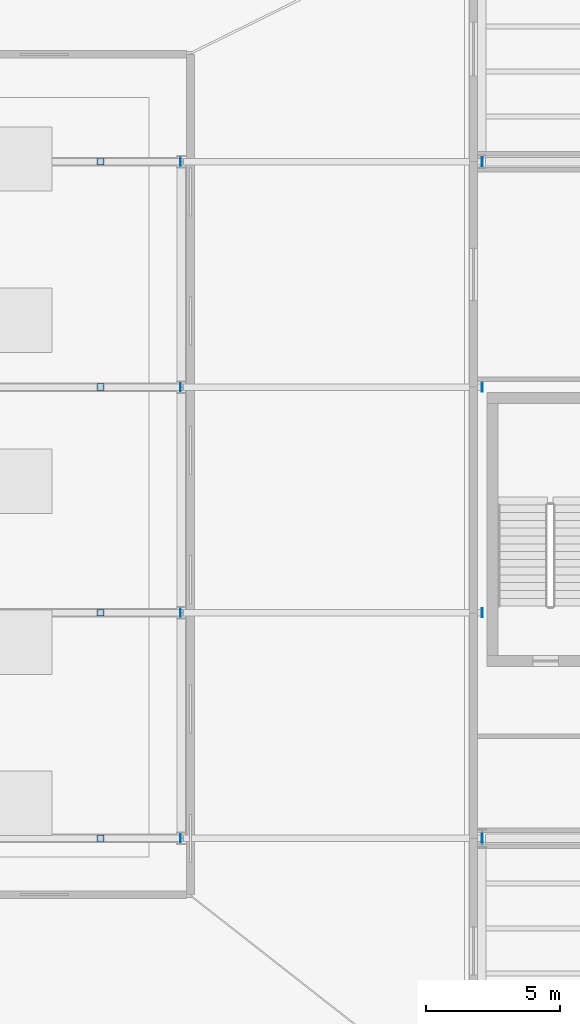
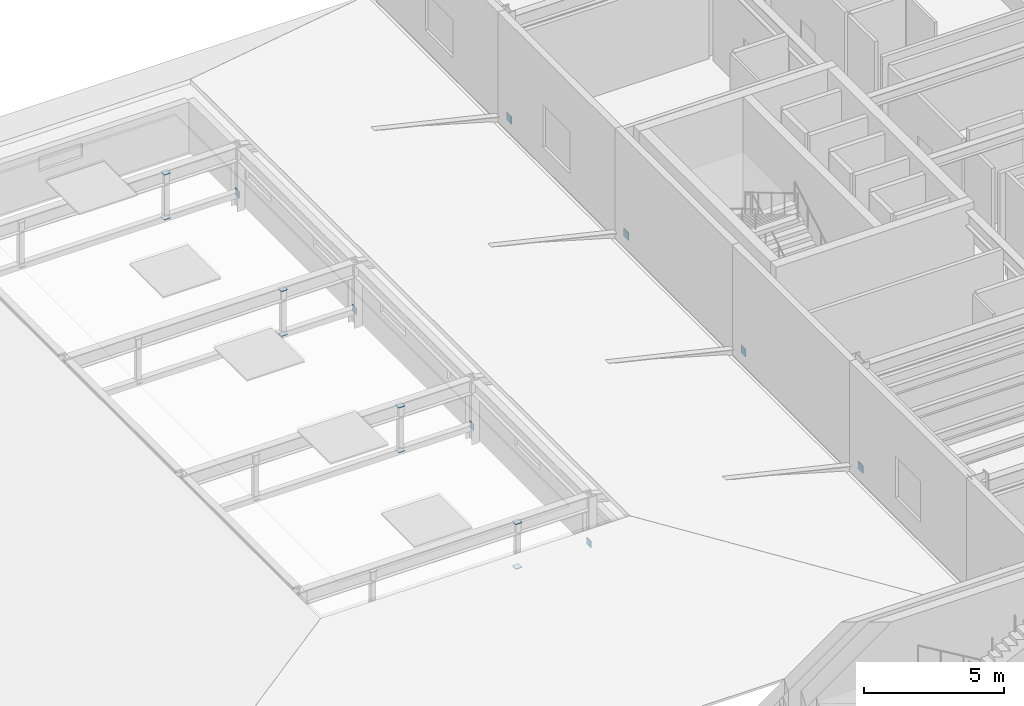
# One storey, part 64 of 91: 16 plates.
"""IFC4 building model written with IfcOpenShell, lengths in metres."""

from ifc_helpers import new_model, si_unit, direction, frame, origin, origin_2d, place, context, subcontext, project, spatial, rectangle, extrude, material, layer, layer_set, type_object, element, save


model = new_model("IFC4")

# Units and contexts
model_context = context("Model", 3, precision=1e-05, world=origin(), true_north=direction((0.0, 1.0)))
body_context = subcontext(model_context, "Body", "Model", "MODEL_VIEW")
ifc_project = project(units=[si_unit("LENGTHUNIT", "METRE"), si_unit("AREAUNIT", "SQUARE_METRE"), si_unit("VOLUMEUNIT", "CUBIC_METRE"), si_unit("PLANEANGLEUNIT", "RADIAN"), si_unit("MASSUNIT", "GRAM", prefix="KILO")], contexts=[model_context])

# Site, building, storey
site_placement = place(None, origin())
site = spatial("IfcSite", under=ifc_project, at=site_placement, CompositionType="ELEMENT")
building_placement = place(site_placement, origin())
building = spatial("IfcBuilding", under=site, at=building_placement, Name="Sollismere Congress Hotel", CompositionType="ELEMENT")
storey_placement = place(building_placement, frame((0.0, 0.0, 10.800048828125)))
storey = spatial("IfcBuildingStorey", under=building, at=storey_placement, Name="L02", CompositionType="ELEMENT", Elevation=10.800048828125)

# Plates
ifc_material = material(Name="Steel ASTM A572 Grade 50", Category="steel")
ifc_layer = layer(ifc_material, 0.02490234375, Name="Steel ASTM A572 Grade 50")
ifc_layer_set = layer_set([ifc_layer], Name="Steel ASTM A572 Grade 50")
plate_type = type_object("IfcPlateType", Name="PL-GS25", PredefinedType="USERDEFINED", material=ifc_layer_set)
plate_1_placement = place(storey_placement, frame((147.212890625, 33.199951171875, -0.169921875), z_axis=(0.0, 0.0, 1.0), x_axis=(1.0, 0.0, 0.0)))
element("IfcPlate", 1, at=plate_1_placement, inside=storey, type_object=plate_type, Name="PLT-SPE-01", ObjectType="GUSSET PLATE", PredefinedType="USERDEFINED", context=body_context, shape_type="SweptSolid", body=[
    extrude(rectangle(XDim=0.02490234375, YDim=0.340087890625, at=origin_2d()), origin(), (0.0, 0.0, 1.0), 0.340087890625),
])
plate_2_placement = place(storey_placement, frame((135.972900390625, 33.199951171875, 0.5), z_axis=(0.0, 0.0, 1.0), x_axis=(1.0, 0.0, 0.0)))
element("IfcPlate", 2, at=plate_2_placement, inside=storey, type_object=plate_type, Name="PLT-CHE-01", ObjectType="GUSSET PLATE", PredefinedType="USERDEFINED", context=body_context, shape_type="SweptSolid", body=[
    extrude(rectangle(XDim=0.02490234375, YDim=0.300048828125, at=origin_2d()), origin(), (0.0, 0.0, 1.0), 0.300048828125),
])
for number, where, z_axis, x_axis, name in (
    (3, (133.0, 33.199951171875, 0.62451171875), (0.0, 0.0, 1.0), (1.0, 0.0, 0.0), "PLT-SPS-12B"),
    (4, (133.0, 33.199951171875, 2.58056640625), (0.0, 0.0, 1.0), (1.0, 0.0, 0.0), "PLT-SPS-12T"),
):
    element("IfcPlate", number, at=place(storey_placement, frame(where, z_axis=z_axis, x_axis=x_axis)), inside=storey, type_object=plate_type, Name=name, ObjectType="GUSSET PLATE", PredefinedType="USERDEFINED", context=body_context, shape_type="SweptSolid", body=[
        extrude(rectangle(XDim=0.260009765625, YDim=0.260009765625, at=origin_2d()), origin(), (0.0, 0.0, 1.0), 0.02490234375),
    ])
plate_3_placement = place(storey_placement, frame((147.212890625, 41.60009765625, -0.169921875), z_axis=(0.0, 0.0, 1.0), x_axis=(1.0, 0.0, 0.0)))
element("IfcPlate", 5, at=plate_3_placement, inside=storey, type_object=plate_type, Name="PLT-SPE-02", ObjectType="GUSSET PLATE", PredefinedType="USERDEFINED", context=body_context, shape_type="SweptSolid", body=[
    extrude(rectangle(XDim=0.02490234375, YDim=0.340087890625, at=origin_2d()), origin(), (0.0, 0.0, 1.0), 0.340087890625),
])
plate_4_placement = place(storey_placement, frame((135.972900390625, 41.60009765625, 0.5), z_axis=(0.0, 0.0, 1.0), x_axis=(1.0, 0.0, 0.0)))
element("IfcPlate", 6, at=plate_4_placement, inside=storey, type_object=plate_type, Name="PLT-CHE-02", ObjectType="GUSSET PLATE", PredefinedType="USERDEFINED", context=body_context, shape_type="SweptSolid", body=[
    extrude(rectangle(XDim=0.02490234375, YDim=0.300048828125, at=origin_2d()), origin(), (0.0, 0.0, 1.0), 0.300048828125),
])
for number, where, z_axis, x_axis, name in (
    (7, (133.0, 41.60009765625, 0.62451171875), (0.0, 0.0, 1.0), (1.0, 0.0, 0.0), "PLT-SPS-22B"),
    (8, (133.0, 41.60009765625, 2.58056640625), (0.0, 0.0, 1.0), (1.0, 0.0, 0.0), "PLT-SPS-22T"),
):
    element("IfcPlate", number, at=place(storey_placement, frame(where, z_axis=z_axis, x_axis=x_axis)), inside=storey, type_object=plate_type, Name=name, ObjectType="GUSSET PLATE", PredefinedType="USERDEFINED", context=body_context, shape_type="SweptSolid", body=[
        extrude(rectangle(XDim=0.260009765625, YDim=0.260009765625, at=origin_2d()), origin(), (0.0, 0.0, 1.0), 0.02490234375),
    ])
plate_5_placement = place(storey_placement, frame((147.212890625, 50.0, -0.169921875), z_axis=(0.0, 0.0, 1.0), x_axis=(1.0, 0.0, 0.0)))
element("IfcPlate", 9, at=plate_5_placement, inside=storey, type_object=plate_type, Name="PLT-SPE-03", ObjectType="GUSSET PLATE", PredefinedType="USERDEFINED", context=body_context, shape_type="SweptSolid", body=[
    extrude(rectangle(XDim=0.02490234375, YDim=0.340087890625, at=origin_2d()), origin(), (0.0, 0.0, 1.0), 0.340087890625),
])
plate_6_placement = place(storey_placement, frame((135.972900390625, 50.0, 0.5), z_axis=(0.0, 0.0, 1.0), x_axis=(1.0, 0.0, 0.0)))
element("IfcPlate", 10, at=plate_6_placement, inside=storey, type_object=plate_type, Name="PLT-CHE-03", ObjectType="GUSSET PLATE", PredefinedType="USERDEFINED", context=body_context, shape_type="SweptSolid", body=[
    extrude(rectangle(XDim=0.02490234375, YDim=0.300048828125, at=origin_2d()), origin(), (0.0, 0.0, 1.0), 0.300048828125),
])
for number, where, z_axis, x_axis, name in (
    (11, (133.0, 50.0, 0.62451171875), (0.0, 0.0, 1.0), (1.0, 0.0, 0.0), "PLT-SPS-32B"),
    (12, (133.0, 50.0, 2.58056640625), (0.0, 0.0, 1.0), (1.0, 0.0, 0.0), "PLT-SPS-32T"),
):
    element("IfcPlate", number, at=place(storey_placement, frame(where, z_axis=z_axis, x_axis=x_axis)), inside=storey, type_object=plate_type, Name=name, ObjectType="GUSSET PLATE", PredefinedType="USERDEFINED", context=body_context, shape_type="SweptSolid", body=[
        extrude(rectangle(XDim=0.260009765625, YDim=0.260009765625, at=origin_2d()), origin(), (0.0, 0.0, 1.0), 0.02490234375),
    ])
plate_7_placement = place(storey_placement, frame((147.212890625, 58.39990234375, -0.169921875), z_axis=(0.0, 0.0, 1.0), x_axis=(1.0, 0.0, 0.0)))
element("IfcPlate", 13, at=plate_7_placement, inside=storey, type_object=plate_type, Name="PLT-SPE-04", ObjectType="GUSSET PLATE", PredefinedType="USERDEFINED", context=body_context, shape_type="SweptSolid", body=[
    extrude(rectangle(XDim=0.02490234375, YDim=0.340087890625, at=origin_2d()), origin(), (0.0, 0.0, 1.0), 0.340087890625),
])
plate_8_placement = place(storey_placement, frame((135.972900390625, 58.39990234375, 0.5), z_axis=(0.0, 0.0, 1.0), x_axis=(1.0, 0.0, 0.0)))
element("IfcPlate", 14, at=plate_8_placement, inside=storey, type_object=plate_type, Name="PLT-CHE-04", ObjectType="GUSSET PLATE", PredefinedType="USERDEFINED", context=body_context, shape_type="SweptSolid", body=[
    extrude(rectangle(XDim=0.02490234375, YDim=0.300048828125, at=origin_2d()), origin(), (0.0, 0.0, 1.0), 0.300048828125),
])
for number, where, z_axis, x_axis, name in (
    (15, (133.0, 58.39990234375, 0.62451171875), (0.0, 0.0, 1.0), (1.0, 0.0, 0.0), "PLT-SPS-42B"),
    (16, (133.0, 58.39990234375, 2.58056640625), (0.0, 0.0, 1.0), (1.0, 0.0, 0.0), "PLT-SPS-42T"),
):
    element("IfcPlate", number, at=place(storey_placement, frame(where, z_axis=z_axis, x_axis=x_axis)), inside=storey, type_object=plate_type, Name=name, ObjectType="GUSSET PLATE", PredefinedType="USERDEFINED", context=body_context, shape_type="SweptSolid", body=[
        extrude(rectangle(XDim=0.260009765625, YDim=0.260009765625, at=origin_2d()), origin(), (0.0, 0.0, 1.0), 0.02490234375),
    ])

save(model, "model.ifc")
